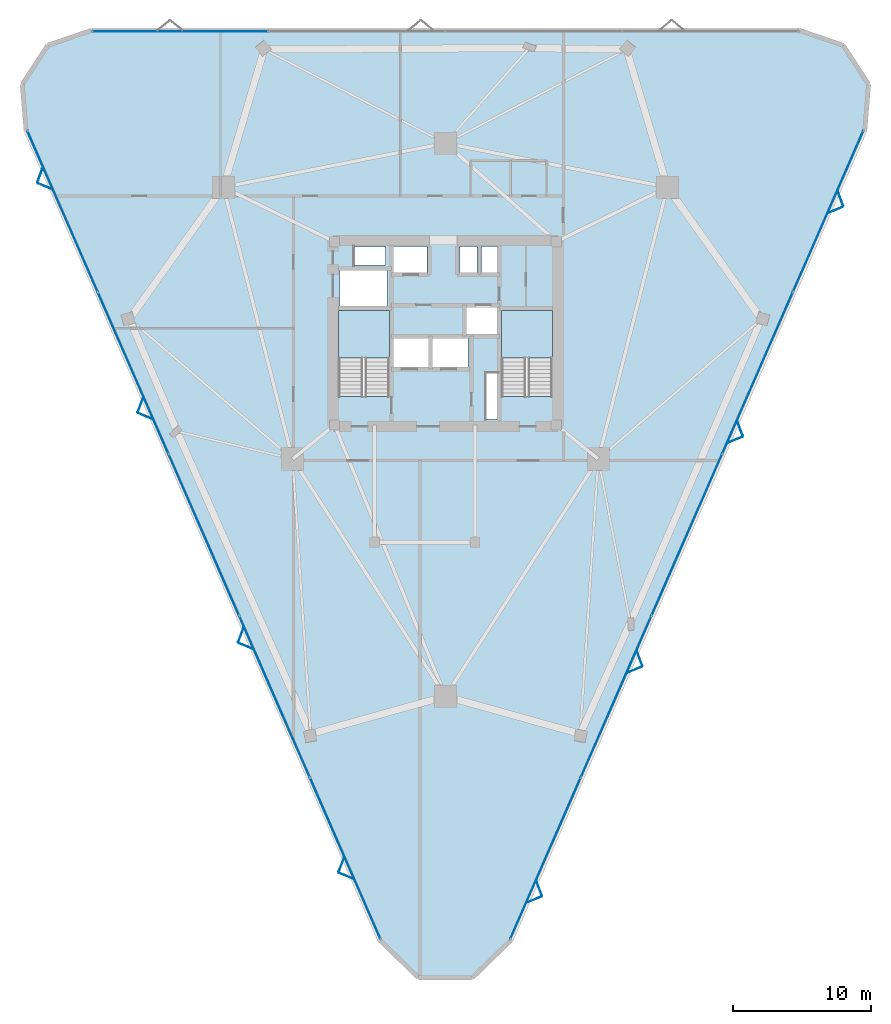
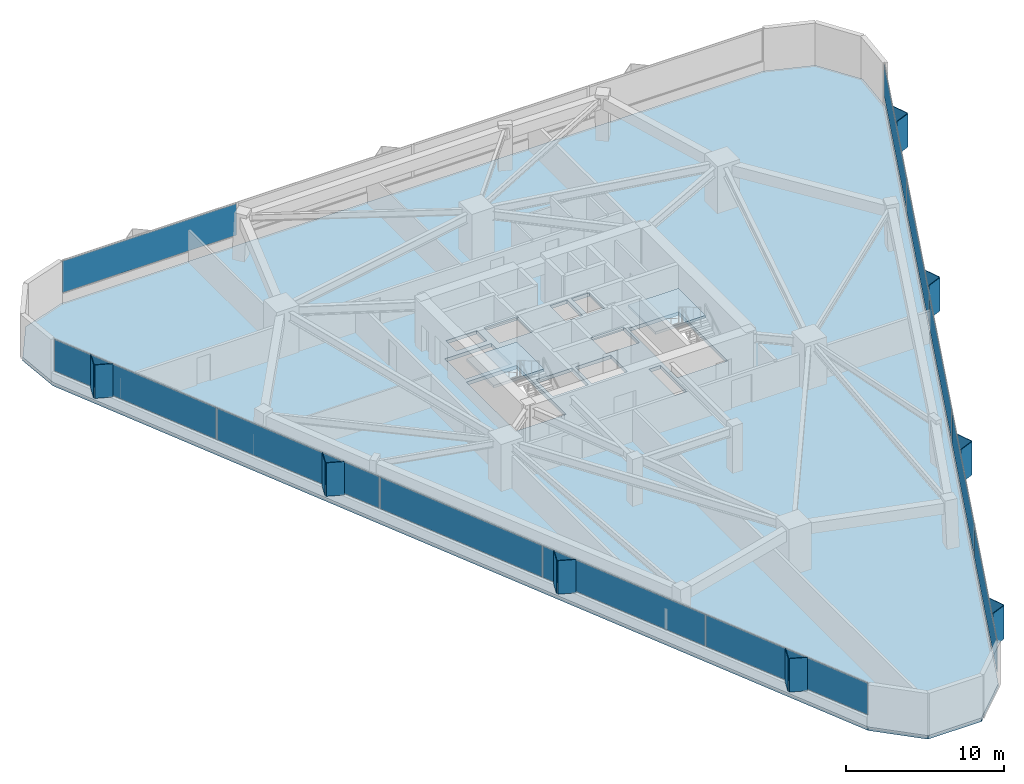
# One storey, part 11 of 16: 27 plates, 3 slabs, 5 elements without a shape of their own.
"""IFC4 building model written with IfcOpenShell, lengths in metres."""

from ifc_helpers import new_model, si_unit, direction, frame, origin, origin_2d, place, context, subcontext, project, spatial, polyline, rectangle, outline, extrude, material, layer, layer_set, type_object, element, aggregate, save


model = new_model("IFC4")

# Units and contexts
model_context = context("Model", 3, precision=1e-05, world=origin(), true_north=direction((0.0, 1.0)))
body_context = subcontext(model_context, "Body", "Model", "MODEL_VIEW")
ifc_project = project(units=[si_unit("LENGTHUNIT", "METRE"), si_unit("AREAUNIT", "SQUARE_METRE"), si_unit("VOLUMEUNIT", "CUBIC_METRE"), si_unit("PLANEANGLEUNIT", "RADIAN"), si_unit("MASSUNIT", "GRAM", prefix="KILO")], contexts=[model_context])

# Site, building, storey
site_placement = place(None, origin())
site = spatial("IfcSite", under=ifc_project, at=site_placement, CompositionType="ELEMENT")
building_placement = place(site_placement, origin())
building = spatial("IfcBuilding", under=site, at=building_placement, Name="Talyreon Biosciences Tower", CompositionType="ELEMENT")
storey_placement = place(building_placement, frame((0.0, 0.0, 107.85009765625)))
storey = spatial("IfcBuildingStorey", under=building, at=storey_placement, Name="L28", CompositionType="ELEMENT", Elevation=107.85009765625)

# Curtain wall, plates
ifc_material_1 = material(Name="Thermally broken aluminium and low-E glazing", Category="aluminium")
ifc_layer_1 = layer(ifc_material_1, 0.18994140625)
ifc_layer_set_1 = layer_set([ifc_layer_1], Name="Thermally broken aluminium and low-E glazing")
curtain_wall_type = type_object("IfcCurtainWallType", Name="CurtainWall_Zone2Genomics", PredefinedType="NOTDEFINED", material=ifc_layer_set_1)
curtain_wall_1_placement = place(storey_placement, origin())
curtain_wall_1 = element("IfcCurtainWall", 1, at=curtain_wall_1_placement, inside=storey, type_object=curtain_wall_type, Name="L28 Unitised Curtain Wall FCW-L28-00", PredefinedType="NOTDEFINED")
ifc_material_2 = material(Name="Triple-silver low-E insulated glazing", Category="glass")
ifc_layer_2 = layer(ifc_material_2, 0.031982421875)
ifc_layer_set_2 = layer_set([ifc_layer_2], Name="Triple-silver low-E insulated glazing")
plate_type_1 = type_object("IfcPlateType", Name="CWGlazingPanel_32", PredefinedType="CURTAIN_PANEL", material=ifc_layer_set_2)
plate_1_placement = place(storey_placement, frame((58.736328125, 29.91015625, 0.874755859375), z_axis=(0.0, 0.0, 1.0), x_axis=(-0.400386983653, 0.9163461482, 0.0)))
plate_1 = element("IfcPlate", 2, at=plate_1_placement, type_object=plate_type_1, Name="CW3 panel 1.1", PredefinedType="CURTAIN_PANEL", context=body_context, shape_type="SweptSolid", body=[
    extrude(rectangle(XDim=12.717041015625, YDim=0.031982421875, at=origin_2d()), origin(), (0.0, 0.0, 1.0), 2.43505859375),
])
plate_2_placement = place(storey_placement, frame((53.612060546875, 41.6376953125, 0.874755859375), z_axis=(0.0, 0.0, 1.0), x_axis=(-0.400386983653, 0.9163461482, 0.0)))
plate_2 = element("IfcPlate", 3, at=plate_2_placement, type_object=plate_type_1, Name="CW3 panel 2.1", PredefinedType="CURTAIN_PANEL", context=body_context, shape_type="SweptSolid", body=[
    extrude(rectangle(XDim=12.74951171875, YDim=0.031982421875, at=origin_2d()), origin(), (0.0, 0.0, 1.0), 2.43505859375),
])
plate_3_placement = place(storey_placement, frame((48.4814453125, 53.38037109375, 0.874755859375), z_axis=(0.0, 0.0, 1.0), x_axis=(-0.400386983653, 0.9163461482, 0.0)))
plate_3 = element("IfcPlate", 4, at=plate_3_placement, type_object=plate_type_1, Name="CW3 panel 3.1", PredefinedType="CURTAIN_PANEL", context=body_context, shape_type="SweptSolid", body=[
    extrude(rectangle(XDim=12.74951171875, YDim=0.031982421875, at=origin_2d()), origin(), (0.0, 0.0, 1.0), 2.43505859375),
])
plate_4_placement = place(storey_placement, frame((43.3505859375, 65.122802734375, 0.874755859375), z_axis=(0.0, 0.0, 1.0), x_axis=(-0.400386983653, 0.9163461482, 0.0)))
plate_4 = element("IfcPlate", 5, at=plate_4_placement, type_object=plate_type_1, Name="CW3 panel 4.1", PredefinedType="CURTAIN_PANEL", context=body_context, shape_type="SweptSolid", body=[
    extrude(rectangle(XDim=12.74951171875, YDim=0.031982421875, at=origin_2d()), origin(), (0.0, 0.0, 1.0), 2.43505859375),
])
plate_5_placement = place(storey_placement, frame((38.226318359375, 76.850341796875, 0.874755859375), z_axis=(0.0, 0.0, 1.0), x_axis=(-0.400386983653, 0.9163461482, 0.0)))
plate_5 = element("IfcPlate", 6, at=plate_5_placement, type_object=plate_type_1, Name="CW3 panel 5.1", PredefinedType="CURTAIN_PANEL", context=body_context, shape_type="SweptSolid", body=[
    extrude(rectangle(XDim=12.717041015625, YDim=0.031982421875, at=origin_2d()), origin(), (0.0, 0.0, 1.0), 2.43505859375),
])
aggregate(curtain_wall_1, [plate_1, plate_2, plate_3, plate_4, plate_5])

# Curtain wall, plate
curtain_wall_2_placement = place(storey_placement, origin())
curtain_wall_2 = element("IfcCurtainWall", 7, at=curtain_wall_2_placement, inside=storey, type_object=curtain_wall_type, Name="L28 Unitised Curtain Wall FCW-L28-04", PredefinedType="NOTDEFINED")
plate_6_placement = place(storey_placement, frame((46.77587890625, 89.906494140625, 0.874755859375), z_axis=(0.0, 0.0, 1.0), x_axis=(1.0, 0.0, 0.0)))
plate_6 = element("IfcPlate", 8, at=plate_6_placement, type_object=plate_type_1, Name="CW3 panel 1.1", PredefinedType="CURTAIN_PANEL", context=body_context, shape_type="SweptSolid", body=[
    extrude(rectangle(XDim=12.7294921875, YDim=0.031982421875, at=origin_2d()), origin(), (0.0, 0.0, 1.0), 2.43505859375),
])
aggregate(curtain_wall_2, [plate_6])

# Curtain wall, plates
curtain_wall_3_placement = place(storey_placement, origin())
curtain_wall_3 = element("IfcCurtainWall", 9, at=curtain_wall_3_placement, inside=storey, type_object=curtain_wall_type, Name="L28 Unitised Curtain Wall FCW-L28-08", PredefinedType="NOTDEFINED")
plate_7_placement = place(storey_placement, frame((93.773681640625, 76.850341796875, 0.874755859375), z_axis=(0.0, 0.0, 1.0), x_axis=(-0.400386983653, -0.9163461482, 0.0)))
plate_7 = element("IfcPlate", 10, at=plate_7_placement, type_object=plate_type_1, Name="CW3 panel 1.1", PredefinedType="CURTAIN_PANEL", context=body_context, shape_type="SweptSolid", body=[
    extrude(rectangle(XDim=12.717041015625, YDim=0.031982421875, at=origin_2d()), origin(), (0.0, 0.0, 1.0), 2.43505859375),
])
plate_8_placement = place(storey_placement, frame((88.6494140625, 65.122802734375, 0.874755859375), z_axis=(0.0, 0.0, 1.0), x_axis=(-0.400386983653, -0.9163461482, 0.0)))
plate_8 = element("IfcPlate", 11, at=plate_8_placement, type_object=plate_type_1, Name="CW3 panel 2.1", PredefinedType="CURTAIN_PANEL", context=body_context, shape_type="SweptSolid", body=[
    extrude(rectangle(XDim=12.74951171875, YDim=0.031982421875, at=origin_2d()), origin(), (0.0, 0.0, 1.0), 2.43505859375),
])
plate_9_placement = place(storey_placement, frame((83.5185546875, 53.38037109375, 0.874755859375), z_axis=(0.0, 0.0, 1.0), x_axis=(-0.400386983653, -0.9163461482, 0.0)))
plate_9 = element("IfcPlate", 12, at=plate_9_placement, type_object=plate_type_1, Name="CW3 panel 3.1", PredefinedType="CURTAIN_PANEL", context=body_context, shape_type="SweptSolid", body=[
    extrude(rectangle(XDim=12.74951171875, YDim=0.031982421875, at=origin_2d()), origin(), (0.0, 0.0, 1.0), 2.43505859375),
])
plate_10_placement = place(storey_placement, frame((78.387939453125, 41.6376953125, 0.874755859375), z_axis=(0.0, 0.0, 1.0), x_axis=(-0.400386983653, -0.9163461482, 0.0)))
plate_10 = element("IfcPlate", 13, at=plate_10_placement, type_object=plate_type_1, Name="CW3 panel 4.1", PredefinedType="CURTAIN_PANEL", context=body_context, shape_type="SweptSolid", body=[
    extrude(rectangle(XDim=12.74951171875, YDim=0.031982421875, at=origin_2d()), origin(), (0.0, 0.0, 1.0), 2.43505859375),
])
plate_11_placement = place(storey_placement, frame((73.263671875, 29.91015625, 0.874755859375), z_axis=(0.0, 0.0, 1.0), x_axis=(-0.400386983653, -0.9163461482, 0.0)))
plate_11 = element("IfcPlate", 14, at=plate_11_placement, type_object=plate_type_1, Name="CW3 panel 5.1", PredefinedType="CURTAIN_PANEL", context=body_context, shape_type="SweptSolid", body=[
    extrude(rectangle(XDim=12.717041015625, YDim=0.031982421875, at=origin_2d()), origin(), (0.0, 0.0, 1.0), 2.43505859375),
])
aggregate(curtain_wall_3, [plate_7, plate_8, plate_9, plate_10, plate_11])

# Plates
ifc_material_3 = material(Name="Ivory GFRC sunshade panel", Category="concrete")
ifc_layer_3 = layer(ifc_material_3, 0.044921875)
ifc_layer_set_3 = layer_set([ifc_layer_3], Name="Ivory GFRC sunshade panel")
plate_type_2 = type_object("IfcPlateType", Name="FoldedVSunshade_SunFace_SUNSHADE", PredefinedType="USERDEFINED", material=ifc_layer_set_3)
for number, where, z_axis, x_axis, name in (
    (15, (58.815185546875, 28.631103515625, 0.7900390625), (0.0, 0.0, 1.0), (-0.924559334915, 0.381038103373, 0.0), "L28 Folded V-Sunshade Panel 00.01L"),
    (16, (58.45458984375, 29.455810546875, 0.7900390625), (0.0, 0.0, 1.0), (0.348539329796, 0.937294156381, 0.0), "L28 Folded V-Sunshade Panel 00.01R"),
    (17, (51.528076171875, 45.30859375, 0.7900390625), (0.0, 0.0, 1.0), (-0.924559334915, 0.381038103373, 0.0), "L28 Folded V-Sunshade Panel 00.02L"),
    (18, (51.167724609375, 46.13330078125, 0.7900390625), (0.0, 0.0, 1.0), (0.348539329796, 0.937294156381, 0.0), "L28 Folded V-Sunshade Panel 00.02R"),
    (19, (44.240966796875, 61.986083984375, 0.7900390625), (0.0, 0.0, 1.0), (-0.924559334915, 0.381038103373, 0.0), "L28 Folded V-Sunshade Panel 00.03L"),
    (20, (43.880615234375, 62.810791015625, 0.7900390625), (0.0, 0.0, 1.0), (0.348539329796, 0.937294156381, 0.0), "L28 Folded V-Sunshade Panel 00.03R"),
    (21, (36.9541015625, 78.663818359375, 0.7900390625), (0.0, 0.0, 1.0), (-0.924559334915, 0.381038103373, 0.0), "L28 Folded V-Sunshade Panel 00.04L"),
    (22, (36.593505859375, 79.48828125, 0.7900390625), (0.0, 0.0, 1.0), (0.348539329796, 0.937294156381, 0.0), "L28 Folded V-Sunshade Panel 00.04R"),
    (23, (94.65869140625, 77.777099609375, 0.7900390625), (0.0, 0.0, 1.0), (0.348539329796, -0.937294156381, 0.0), "L28 Folded V-Sunshade Panel 08.01L"),
    (24, (94.29833984375, 76.952392578125, 0.7900390625), (0.0, 0.0, 1.0), (-0.924559334915, -0.381038103373, 0.0), "L28 Folded V-Sunshade Panel 08.01R"),
    (25, (87.37158203125, 61.099609375, 0.7900390625), (0.0, 0.0, 1.0), (0.348539329796, -0.937294156381, 0.0), "L28 Folded V-Sunshade Panel 08.02L"),
    (26, (87.01123046875, 60.27490234375, 0.7900390625), (0.0, 0.0, 1.0), (-0.924559334915, -0.381038103373, 0.0), "L28 Folded V-Sunshade Panel 08.02R"),
    (27, (80.084716796875, 44.422119140625, 0.7900390625), (0.0, 0.0, 1.0), (0.348539329796, -0.937294156381, 0.0), "L28 Folded V-Sunshade Panel 08.03L"),
    (28, (79.72412109375, 43.597412109375, 0.7900390625), (0.0, 0.0, 1.0), (-0.924559334915, -0.381038103373, 0.0), "L28 Folded V-Sunshade Panel 08.03R"),
    (29, (72.797607421875, 27.74462890625, 0.7900390625), (0.0, 0.0, 1.0), (0.348539329796, -0.937294156381, 0.0), "L28 Folded V-Sunshade Panel 08.04L"),
    (30, (72.437255859375, 26.919921875, 0.7900390625), (0.0, 0.0, 1.0), (-0.924559334915, -0.381038103373, 0.0), "L28 Folded V-Sunshade Panel 08.04R"),
):
    element("IfcPlate", number, at=place(storey_placement, frame(where, z_axis=z_axis, x_axis=x_axis)), inside=storey, type_object=plate_type_2, Name=name, ObjectType="SUNSHADE", PredefinedType="USERDEFINED", context=body_context, shape_type="SweptSolid", body=[
        extrude(rectangle(XDim=1.14990234375, YDim=0.044921875, at=origin_2d()), origin(), (0.0, 0.0, 1.0), 2.5849609375),
    ])

# Stair, slab
ifc_material_4 = material(Name="Concrete C40/50", Category="concrete")
stair_type = type_object("IfcStairType", Name="DoglegEscapeStair_3650", PredefinedType="HALF_TURN_STAIR", material=ifc_material_4)
stair_1_placement = place(storey_placement, origin())
stair_1 = element("IfcStair", 31, at=stair_1_placement, inside=storey, type_object=stair_type, Name="L28 Core Escape Stair 1", PredefinedType="HALF_TURN_STAIR")
ifc_layer_4 = layer(ifc_material_4, 0.199951171875)
ifc_layer_set_4 = layer_set([ifc_layer_4], Name="Concrete C40/50")
slab_type_1 = type_object("IfcSlabType", Name="StairLandingSlab_200", PredefinedType="LANDING", material=ifc_layer_set_4)
slab_1_placement = place(storey_placement, frame((0.0, 0.0, 1.625)))
slab_1 = element("IfcSlab", 32, at=slab_1_placement, type_object=slab_type_1, Name="ST-1 landing 1", PredefinedType="LANDING", context=body_context, shape_type="SweptSolid", body=[
    extrude(outline(polyline([(61.929931640625, 66.199951171875), (61.929931640625, 69.64990234375), (58.25, 69.64990234375), (58.25, 66.199951171875), (61.929931640625, 66.199951171875)])), origin(), (0.0, 0.0, 1.0), 0.199951171875),
])
aggregate(stair_1, [slab_1])

stair_2_placement = place(storey_placement, origin())
stair_2 = element("IfcStair", 33, at=stair_2_placement, inside=storey, type_object=stair_type, Name="L28 Core Escape Stair 2", PredefinedType="HALF_TURN_STAIR")
slab_2_placement = place(storey_placement, frame((0.0, 0.0, 1.625)))
slab_2 = element("IfcSlab", 34, at=slab_2_placement, type_object=slab_type_1, Name="ST-2 landing 1", PredefinedType="LANDING", context=body_context, shape_type="SweptSolid", body=[
    extrude(outline(polyline([(73.75, 66.199951171875), (73.75, 69.64990234375), (70.070068359375, 69.64990234375), (70.070068359375, 66.199951171875), (73.75, 66.199951171875)])), origin(), (0.0, 0.0, 1.0), 0.199951171875),
])
aggregate(stair_2, [slab_2])

# Slab
ifc_layer_5 = layer(ifc_material_4, 0.27490234375)
ifc_layer_set_5 = layer_set([ifc_layer_5], Name="Concrete C40/50")
slab_type_2 = type_object("IfcSlabType", Name="WetLabFloorSlab_275", PredefinedType="FLOOR", material=ifc_layer_set_5)
slab_3_placement = place(storey_placement, frame((0.0, 0.0, -0.275146484375)))
element("IfcSlab", 35, at=slab_3_placement, inside=storey, type_object=slab_type_2, Name="L28 Structural Floor Slab", PredefinedType="FLOOR", context=body_context, shape_type="SweptSolid", body=[
    extrude(outline(polyline([(61.235107421875, 23.991943359375), (35.581298828125, 82.70458984375), (35.306396484375, 86.068115234375), (37.154296875, 88.8916015625), (40.34619140625, 89.986572265625), (91.65380859375, 89.986572265625), (94.845703125, 88.8916015625), (96.693603515625, 86.068115234375), (96.418701171875, 82.70458984375), (70.764892578125, 23.991943359375), (67.958984375, 21.257080078125), (64.041015625, 21.257080078125), (61.235107421875, 23.991943359375)]), holes=[polyline([(61.929931640625, 69.64990234375), (61.929931640625, 63.407958984375), (58.25, 63.407958984375), (58.25, 69.64990234375), (61.929931640625, 69.64990234375)]), polyline([(64.800048828125, 67.64990234375), (64.800048828125, 65.550048828125), (62.199951171875, 65.550048828125), (62.199951171875, 67.64990234375), (64.800048828125, 67.64990234375)]), polyline([(67.64990234375, 67.64990234375), (67.64990234375, 65.550048828125), (65.050048828125, 65.550048828125), (65.050048828125, 67.64990234375), (67.64990234375, 67.64990234375)]), polyline([(61.75, 69.97998046875), (58.35009765625, 69.97998046875), (58.35009765625, 72.550048828125), (61.75, 72.550048828125), (61.75, 69.97998046875)]), polyline([(64.64990234375, 72.35009765625), (62.199951171875, 72.35009765625), (62.199951171875, 74.300048828125), (64.64990234375, 74.300048828125), (64.64990234375, 72.35009765625)]), polyline([(61.64990234375, 74.25), (61.64990234375, 72.9599609375), (59.39990234375, 72.9599609375), (59.39990234375, 74.25), (61.64990234375, 74.25)]), polyline([(69.820068359375, 61.800048828125), (68.9599609375, 61.800048828125), (68.9599609375, 65.10009765625), (69.820068359375, 65.10009765625), (69.820068359375, 61.800048828125)]), polyline([(73.75, 63.407958984375), (70.070068359375, 63.407958984375), (70.070068359375, 69.64990234375), (73.75, 69.64990234375), (73.75, 63.407958984375)]), polyline([(69.89990234375, 69.949951171875), (69.89990234375, 67.949951171875), (67.5, 67.949951171875), (67.5, 69.949951171875), (69.89990234375, 69.949951171875)]), polyline([(68.300048828125, 72.35009765625), (67.050048828125, 72.35009765625), (67.050048828125, 74.300048828125), (68.300048828125, 74.300048828125), (68.300048828125, 72.35009765625)]), polyline([(69.919921875, 72.35009765625), (68.6201171875, 72.35009765625), (68.6201171875, 74.300048828125), (69.919921875, 74.300048828125), (69.919921875, 72.35009765625)])]), origin(), (0.0, 0.0, 1.0), 0.275146484375),
])

save(model, "model.ifc")
